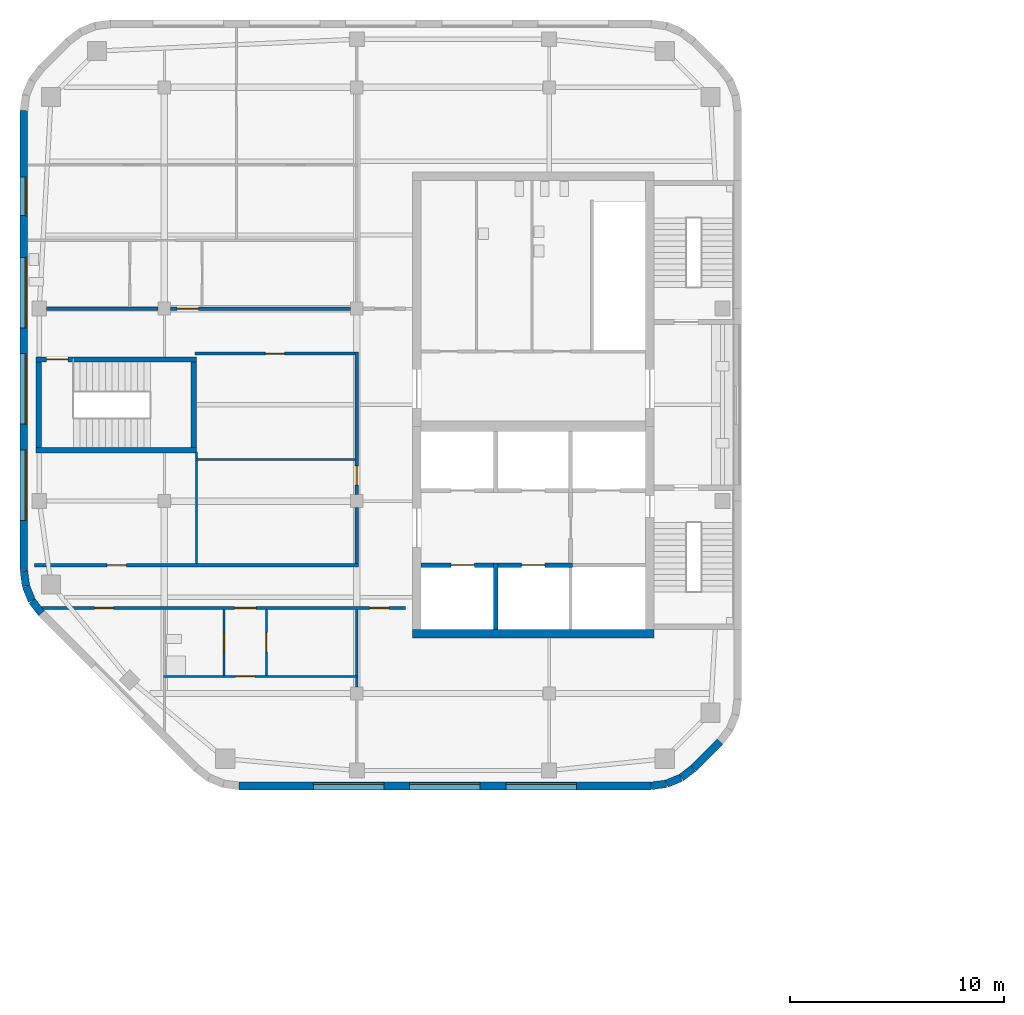
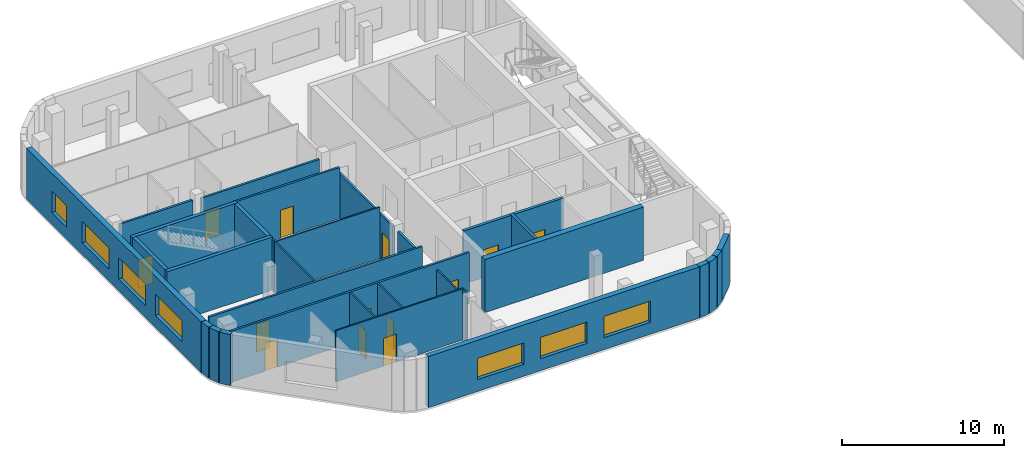
# One storey, part 5 of 14: 32 walls, 13 doors, 7 windows, 20 openings.
"""IFC4 building model written with IfcOpenShell, lengths in metres."""

from ifc_helpers import new_model, si_unit, direction, frame, frame_2d, origin, place, context, subcontext, project, spatial, rectangle, extrude, material, layer, layer_set, type_object, element, fill, save


model = new_model("IFC4")

# Units and contexts
model_context = context("Model", 3, precision=1e-05, world=origin(), true_north=direction((0.0, 1.0)))
body_context = subcontext(model_context, "Body", "Model", "MODEL_VIEW")
ifc_project = project(units=[si_unit("LENGTHUNIT", "METRE"), si_unit("AREAUNIT", "SQUARE_METRE"), si_unit("VOLUMEUNIT", "CUBIC_METRE"), si_unit("PLANEANGLEUNIT", "RADIAN"), si_unit("MASSUNIT", "GRAM", prefix="KILO")], contexts=[model_context])

# Site, building, storey
site_placement = place(None, origin())
site = spatial("IfcSite", under=ifc_project, at=site_placement, CompositionType="ELEMENT")
building_placement = place(site_placement, origin())
building = spatial("IfcBuilding", under=site, at=building_placement, Name="Cinnabar Reach Civic Tower", CompositionType="ELEMENT")
storey_placement = place(building_placement, frame((0.0, 0.0, 136.0)))
storey = spatial("IfcBuildingStorey", under=building, at=storey_placement, Name="L32", CompositionType="ELEMENT", Elevation=136.0)

# Walls
ifc_material_1 = material(Name="Facing brick with insulated backing", Category="masonry")
ifc_layer_1 = layer(ifc_material_1, 0.36)
ifc_layer_set_1 = layer_set([ifc_layer_1], Name="Brick corner wall")
wall_type_1 = type_object("IfcWallType", Name="Brick corner wall", PredefinedType="STANDARD", material=ifc_layer_set_1)
for number, where, z_axis, x_axis, name in (
    (1, (-31.2314, 13.683, 0.0), (0.0, 0.0, 1.0), (0.99144092581, 0.13055608231, 0.0), "Brick corner wall"),
    (2, (-30.5027, 13.7819, 0.0), (0.0, 0.0, 1.0), (0.923871547278, 0.382702709855, 0.0), "Brick corner wall"),
):
    element("IfcWall", number, at=place(storey_placement, frame(where, z_axis=z_axis, x_axis=x_axis)), inside=storey, type_object=wall_type_1, Name=name, PredefinedType="STANDARD", context=body_context, shape_type="SweptSolid", body=[
        extrude(rectangle(XDim=0.7131, YDim=0.36, at=frame_2d((0.3565, 0.0))), origin(), (0.0, 0.0, 1.0), 3.85),
    ])
wall_1_placement = place(storey_placement, frame((-29.8245, 14.066, 0.0), z_axis=(0.0, 0.0, 1.0), x_axis=(0.793321924995, 0.608802368033, 0.0)))
element("IfcWall", 3, at=wall_1_placement, inside=storey, type_object=wall_type_1, Name="Brick corner wall", PredefinedType="STANDARD", context=body_context, shape_type="SweptSolid", body=[
    extrude(rectangle(XDim=0.7132, YDim=0.36, at=frame_2d((0.3566, 0.0))), origin(), (0.0, 0.0, 1.0), 3.85),
])
for number, where, z_axis, x_axis, name in (
    (4, (-60.567, 23.7314, 0.0), (0.0, 0.0, 1.0), (0.13055608231, -0.99144092581, 0.0), "Brick corner wall"),
    (5, (-60.4681, 23.0027, 0.0), (0.0, 0.0, 1.0), (0.382702709855, -0.923871547278, 0.0), "Brick corner wall"),
):
    element("IfcWall", number, at=place(storey_placement, frame(where, z_axis=z_axis, x_axis=x_axis)), inside=storey, type_object=wall_type_1, Name=name, PredefinedType="STANDARD", context=body_context, shape_type="SweptSolid", body=[
        extrude(rectangle(XDim=0.7131, YDim=0.36, at=frame_2d((0.3565, 0.0))), origin(), (0.0, 0.0, 1.0), 3.85),
    ])
wall_2_placement = place(storey_placement, frame((-60.184, 22.3245, 0.0), z_axis=(0.0, 0.0, 1.0), x_axis=(0.608802368033, -0.793321924995, 0.0)))
element("IfcWall", 6, at=wall_2_placement, inside=storey, type_object=wall_type_1, Name="Brick corner wall", PredefinedType="STANDARD", context=body_context, shape_type="SweptSolid", body=[
    extrude(rectangle(XDim=0.7132, YDim=0.36, at=frame_2d((0.3566, 0.0))), origin(), (0.0, 0.0, 1.0), 3.85),
])

# Wall, openings, windows
ifc_layer_2 = layer(ifc_material_1, 0.36)
ifc_layer_set_2 = layer_set([ifc_layer_2], Name="Brick pier and spandrel wall")
wall_type_2 = type_object("IfcWallType", Name="Brick pier and spandrel wall", PredefinedType="STANDARD", material=ifc_layer_set_2)
wall_3_placement = place(storey_placement, frame((-50.5074, 13.68, 0.0), z_axis=(0.0, 0.0, 1.0), x_axis=(1.0, 0.0, 0.0)))
wall_3 = element("IfcWall", 7, at=wall_3_placement, inside=storey, type_object=wall_type_2, Name="Brick facade wall", PredefinedType="STANDARD", context=body_context, shape_type="SweptSolid", body=[
    extrude(rectangle(XDim=19.2648, YDim=0.36, at=frame_2d((9.6324, 0.0))), origin(), (0.0, 0.0, 1.0), 3.85),
])
opening_1_placement = place(wall_3_placement, frame((3.4824, 0.0, 0.9)))
opening_1 = element("IfcOpeningElement", 8, at=opening_1_placement, cuts=wall_3, Name="Opening W2793", PredefinedType="OPENING", context=body_context, shape_type="SweptSolid", body=[
    extrude(rectangle(XDim=3.3, YDim=1.6, at=frame_2d((1.65, 0.8))), frame((0.0, 0.19, 0.0), z_axis=(0.0, -1.0, 0.0), x_axis=(1.0, 0.0, 0.0)), (0.0, 0.0, 1.0), 0.38),
])
opening_2_placement = place(wall_3_placement, frame((7.9824, 0.0, 0.9)))
opening_2 = element("IfcOpeningElement", 9, at=opening_2_placement, cuts=wall_3, Name="Opening W2794", PredefinedType="OPENING", context=body_context, shape_type="SweptSolid", body=[
    extrude(rectangle(XDim=3.3, YDim=1.6, at=frame_2d((1.65, 0.8))), frame((0.0, 0.19, 0.0), z_axis=(0.0, -1.0, 0.0), x_axis=(1.0, 0.0, 0.0)), (0.0, 0.0, 1.0), 0.38),
])
opening_3_placement = place(wall_3_placement, frame((12.4824, 0.0, 0.9)))
opening_3 = element("IfcOpeningElement", 10, at=opening_3_placement, cuts=wall_3, Name="Opening W2795", PredefinedType="OPENING", context=body_context, shape_type="SweptSolid", body=[
    extrude(rectangle(XDim=3.3, YDim=1.6, at=frame_2d((1.65, 0.8))), frame((0.0, 0.19, 0.0), z_axis=(0.0, -1.0, 0.0), x_axis=(1.0, 0.0, 0.0)), (0.0, 0.0, 1.0), 0.38),
])
ifc_material_2 = material(Name="Clear double glazing in aluminium frame", Category="aluminium")
window_type_1 = type_object("IfcWindowType", Name="Deep-set window A", PartitioningType="SINGLE_PANEL", PredefinedType="WINDOW", material=ifc_material_2)
window_1_placement = place(opening_1_placement, origin())
window_1 = element("IfcWindow", 11, at=window_1_placement, inside=storey, type_object=window_type_1, Name="Window south face", OverallHeight=1.6, OverallWidth=3.3, PartitioningType="SINGLE_PANEL", PredefinedType="WINDOW", context=body_context, shape_type="SweptSolid", body=[
    extrude(rectangle(XDim=3.3, YDim=1.6, at=frame_2d((1.65, 0.8))), frame((0.0, 0.13, 0.0), z_axis=(0.0, -1.0, 0.0), x_axis=(1.0, 0.0, 0.0)), (0.0, 0.0, 1.0), 0.06),
])
fill(opening_1, window_1)
window_2_placement = place(opening_2_placement, origin())
window_2 = element("IfcWindow", 12, at=window_2_placement, inside=storey, type_object=window_type_1, Name="Window south face", OverallHeight=1.6, OverallWidth=3.3, PartitioningType="SINGLE_PANEL", PredefinedType="WINDOW", context=body_context, shape_type="SweptSolid", body=[
    extrude(rectangle(XDim=3.3, YDim=1.6, at=frame_2d((1.65, 0.8))), frame((0.0, 0.13, 0.0), z_axis=(0.0, -1.0, 0.0), x_axis=(1.0, 0.0, 0.0)), (0.0, 0.0, 1.0), 0.06),
])
fill(opening_2, window_2)
window_3_placement = place(opening_3_placement, origin())
window_3 = element("IfcWindow", 13, at=window_3_placement, inside=storey, type_object=window_type_1, Name="Window south face", OverallHeight=1.6, OverallWidth=3.3, PartitioningType="SINGLE_PANEL", PredefinedType="WINDOW", context=body_context, shape_type="SweptSolid", body=[
    extrude(rectangle(XDim=3.3, YDim=1.6, at=frame_2d((1.65, 0.8))), frame((0.0, 0.13, 0.0), z_axis=(0.0, -1.0, 0.0), x_axis=(1.0, 0.0, 0.0)), (0.0, 0.0, 1.0), 0.06),
])
fill(opening_3, window_3)

# Wall
wall_4_placement = place(storey_placement, frame((-29.2486, 14.506, 0.0), z_axis=(0.0, 0.0, 1.0), x_axis=(0.707106781187, 0.707106781187, 0.0)))
element("IfcWall", 14, at=wall_4_placement, inside=storey, type_object=wall_type_2, Name="Brick facade wall", PredefinedType="STANDARD", context=body_context, shape_type="SweptSolid", body=[
    extrude(rectangle(XDim=1.7573, YDim=0.36, at=frame_2d((0.8787, 0.0))), origin(), (0.0, 0.0, 1.0), 3.85),
])

# Wall, openings, windows
wall_5_placement = place(storey_placement, frame((-60.57, 45.2574, 0.0), z_axis=(0.0, 0.0, 1.0), x_axis=(0.0, -1.0, 0.0)))
wall_5 = element("IfcWall", 15, at=wall_5_placement, inside=storey, type_object=wall_type_2, Name="Brick facade wall", PredefinedType="STANDARD", context=body_context, shape_type="SweptSolid", body=[
    extrude(rectangle(XDim=21.5148, YDim=0.36, at=frame_2d((10.7574, 0.0))), origin(), (0.0, 0.0, 1.0), 3.85),
])
opening_4_placement = place(wall_5_placement, frame((3.1074, 0.0, 0.9)))
opening_4 = element("IfcOpeningElement", 16, at=opening_4_placement, cuts=wall_5, Name="Opening W2802", PredefinedType="OPENING", context=body_context, shape_type="SweptSolid", body=[
    extrude(rectangle(XDim=1.8, YDim=1.6, at=frame_2d((0.9, 0.8))), frame((0.0, 0.19, 0.0), z_axis=(0.0, -1.0, 0.0), x_axis=(1.0, 0.0, 0.0)), (0.0, 0.0, 1.0), 0.38),
])
opening_5_placement = place(wall_5_placement, frame((6.8574, 0.0, 0.9)))
opening_5 = element("IfcOpeningElement", 17, at=opening_5_placement, cuts=wall_5, Name="Opening W2803", PredefinedType="OPENING", context=body_context, shape_type="SweptSolid", body=[
    extrude(rectangle(XDim=3.3, YDim=1.6, at=frame_2d((1.65, 0.8))), frame((0.0, 0.19, 0.0), z_axis=(0.0, -1.0, 0.0), x_axis=(1.0, 0.0, 0.0)), (0.0, 0.0, 1.0), 0.38),
])
opening_6_placement = place(wall_5_placement, frame((11.3574, 0.0, 0.9)))
opening_6 = element("IfcOpeningElement", 18, at=opening_6_placement, cuts=wall_5, Name="Opening W2804", PredefinedType="OPENING", context=body_context, shape_type="SweptSolid", body=[
    extrude(rectangle(XDim=3.3, YDim=1.6, at=frame_2d((1.65, 0.8))), frame((0.0, 0.19, 0.0), z_axis=(0.0, -1.0, 0.0), x_axis=(1.0, 0.0, 0.0)), (0.0, 0.0, 1.0), 0.38),
])
opening_7_placement = place(wall_5_placement, frame((15.8574, 0.0, 0.9)))
opening_7 = element("IfcOpeningElement", 19, at=opening_7_placement, cuts=wall_5, Name="Opening W2805", PredefinedType="OPENING", context=body_context, shape_type="SweptSolid", body=[
    extrude(rectangle(XDim=3.3, YDim=1.6, at=frame_2d((1.65, 0.8))), frame((0.0, 0.19, 0.0), z_axis=(0.0, -1.0, 0.0), x_axis=(1.0, 0.0, 0.0)), (0.0, 0.0, 1.0), 0.38),
])
window_4_placement = place(opening_5_placement, origin())
window_4 = element("IfcWindow", 20, at=window_4_placement, inside=storey, type_object=window_type_1, Name="Window west face", OverallHeight=1.6, OverallWidth=3.3, PartitioningType="SINGLE_PANEL", PredefinedType="WINDOW", context=body_context, shape_type="SweptSolid", body=[
    extrude(rectangle(XDim=3.3, YDim=1.6, at=frame_2d((1.65, 0.8))), frame((0.0, 0.13, 0.0), z_axis=(0.0, -1.0, 0.0), x_axis=(1.0, 0.0, 0.0)), (0.0, 0.0, 1.0), 0.06),
])
fill(opening_5, window_4)
window_5_placement = place(opening_6_placement, origin())
window_5 = element("IfcWindow", 21, at=window_5_placement, inside=storey, type_object=window_type_1, Name="Window west face", OverallHeight=1.6, OverallWidth=3.3, PartitioningType="SINGLE_PANEL", PredefinedType="WINDOW", context=body_context, shape_type="SweptSolid", body=[
    extrude(rectangle(XDim=3.3, YDim=1.6, at=frame_2d((1.65, 0.8))), frame((0.0, 0.13, 0.0), z_axis=(0.0, -1.0, 0.0), x_axis=(1.0, 0.0, 0.0)), (0.0, 0.0, 1.0), 0.06),
])
fill(opening_6, window_5)
window_6_placement = place(opening_7_placement, origin())
window_6 = element("IfcWindow", 22, at=window_6_placement, inside=storey, type_object=window_type_1, Name="Window west face", OverallHeight=1.6, OverallWidth=3.3, PartitioningType="SINGLE_PANEL", PredefinedType="WINDOW", context=body_context, shape_type="SweptSolid", body=[
    extrude(rectangle(XDim=3.3, YDim=1.6, at=frame_2d((1.65, 0.8))), frame((0.0, 0.13, 0.0), z_axis=(0.0, -1.0, 0.0), x_axis=(1.0, 0.0, 0.0)), (0.0, 0.0, 1.0), 0.06),
])
fill(opening_7, window_6)
window_type_2 = type_object("IfcWindowType", Name="Deep-set window D", PartitioningType="SINGLE_PANEL", PredefinedType="WINDOW", material=ifc_material_2)
window_7_placement = place(opening_4_placement, origin())
window_7 = element("IfcWindow", 23, at=window_7_placement, inside=storey, type_object=window_type_2, Name="Window west face", OverallHeight=1.6, OverallWidth=1.8, PartitioningType="SINGLE_PANEL", PredefinedType="WINDOW", context=body_context, shape_type="SweptSolid", body=[
    extrude(rectangle(XDim=1.8, YDim=1.6, at=frame_2d((0.9, 0.8))), frame((0.0, 0.13, 0.0), z_axis=(0.0, -1.0, 0.0), x_axis=(1.0, 0.0, 0.0)), (0.0, 0.0, 1.0), 0.06),
])
fill(opening_4, window_7)

# Wall
ifc_material_3 = material(Name="Concrete C60", Category="concrete")
ifc_layer_3 = layer(ifc_material_3, 0.4)
ifc_layer_set_3 = layer_set([ifc_layer_3], Name="Core wall 400 EI 180")
wall_type_3 = type_object("IfcWallType", Name="Core wall 400 EI 180", PredefinedType="SOLIDWALL", material=ifc_layer_set_3)
wall_6_placement = place(storey_placement, frame((-42.4, 20.8, 0.0), z_axis=(0.0, 0.0, 1.0), x_axis=(1.0, 0.0, 0.0)))
element("IfcWall", 24, at=wall_6_placement, inside=storey, type_object=wall_type_3, Name="Core wall T2 L32 S", PredefinedType="SOLIDWALL", context=body_context, shape_type="SweptSolid", body=[
    extrude(rectangle(XDim=11.3, YDim=0.4, at=frame_2d((5.65, 0.0))), origin(), (0.0, 0.0, 1.0), 4.0),
])

# Wall, opening, door
ifc_material_4 = material(Name="Gypsum board on steel studs, double layer", Category="steel")
ifc_layer_4 = layer(ifc_material_4, 0.15)
ifc_layer_set_4 = layer_set([ifc_layer_4], Name="Corridor wall 150 T2")
wall_type_4 = type_object("IfcWallType", Name="Corridor wall 150 T2", PredefinedType="PARTITIONING", material=ifc_layer_set_4)
wall_7_placement = place(storey_placement, frame((-53.7, 36.0, 0.0), z_axis=(0.0, 0.0, 1.0), x_axis=(1.0, 0.0, 0.0)))
wall_7 = element("IfcWall", 25, at=wall_7_placement, inside=storey, type_object=wall_type_4, Name="Corridor wall 2", PredefinedType="PARTITIONING", context=body_context, shape_type="SweptSolid", body=[
    extrude(rectangle(XDim=8.4, YDim=0.15, at=frame_2d((4.2, 0.0))), origin(), (0.0, 0.0, 1.0), 3.262),
])
opening_8_placement = place(wall_7_placement, frame((0.3, 0.0, 0.0)))
opening_8 = element("IfcOpeningElement", 26, at=opening_8_placement, cuts=wall_7, Name="Opening D7160", PredefinedType="OPENING", context=body_context, shape_type="SweptSolid", body=[
    extrude(rectangle(XDim=1.0, YDim=2.1, at=frame_2d((0.5, 1.05))), frame((0.0, 0.085, 0.0), z_axis=(0.0, -1.0, 0.0), x_axis=(1.0, 0.0, 0.0)), (0.0, 0.0, 1.0), 0.17),
])
ifc_material_5 = material(Name="Timber door leaf in steel frame", Category="steel")
door_type_1 = type_object("IfcDoorType", Name="Tenancy entrance door 1000 x 2100 T2", OperationType="SINGLE_SWING_LEFT", PredefinedType="DOOR", material=ifc_material_5)
door_1_placement = place(opening_8_placement, origin())
door_1 = element("IfcDoor", 27, at=door_1_placement, inside=storey, type_object=door_type_1, Name="Door D7160", OperationType="SINGLE_SWING_RIGHT", OverallHeight=2.1, OverallWidth=1.0, PredefinedType="DOOR", context=body_context, shape_type="SweptSolid", body=[
    extrude(rectangle(XDim=1.0, YDim=2.1, at=frame_2d((0.5, 1.05))), frame((0.0, 0.025, 0.0), z_axis=(0.0, -1.0, 0.0), x_axis=(1.0, 0.0, 0.0)), (0.0, 0.0, 1.0), 0.05),
])
fill(opening_8, door_1)

# Wall
wall_8_placement = place(storey_placement, frame((-59.5, 36.0, 0.0), z_axis=(0.0, 0.0, 1.0), x_axis=(1.0, 0.0, 0.0)))
element("IfcWall", 28, at=wall_8_placement, inside=storey, type_object=wall_type_4, Name="Corridor wall 3", PredefinedType="PARTITIONING", context=body_context, shape_type="SweptSolid", body=[
    extrude(rectangle(XDim=5.2, YDim=0.15, at=frame_2d((2.6, 0.0))), origin(), (0.0, 0.0, 1.0), 3.35),
])

# Wall, openings, doors
wall_9_placement = place(storey_placement, frame((-59.7657, 22.0, 0.0), z_axis=(0.0, 0.0, 1.0), x_axis=(1.0, 0.0, 0.0)))
wall_9 = element("IfcWall", 29, at=wall_9_placement, inside=storey, type_object=wall_type_4, Name="Corridor wall 4", PredefinedType="PARTITIONING", context=body_context, shape_type="SweptSolid", body=[
    extrude(rectangle(XDim=17.0407, YDim=0.15, at=frame_2d((8.5204, 0.0))), origin(), (0.0, 0.0, 1.0), 3.85),
])
opening_9_placement = place(wall_9_placement, frame((15.3657, 0.0, 0.0)))
opening_9 = element("IfcOpeningElement", 30, at=opening_9_placement, cuts=wall_9, Name="Opening D7148", PredefinedType="OPENING", context=body_context, shape_type="SweptSolid", body=[
    extrude(rectangle(XDim=0.9, YDim=2.1, at=frame_2d((0.45, 1.05))), frame((0.0, 0.085, 0.0), z_axis=(0.0, -1.0, 0.0), x_axis=(1.0, 0.0, 0.0)), (0.0, 0.0, 1.0), 0.17),
])
opening_10_placement = place(wall_9_placement, frame((2.5, 0.0, 0.0)))
opening_10 = element("IfcOpeningElement", 31, at=opening_10_placement, cuts=wall_9, Name="Opening D7149", PredefinedType="OPENING", context=body_context, shape_type="SweptSolid", body=[
    extrude(rectangle(XDim=0.9, YDim=2.1, at=frame_2d((0.45, 1.05))), frame((0.0, 0.085, 0.0), z_axis=(0.0, -1.0, 0.0), x_axis=(1.0, 0.0, 0.0)), (0.0, 0.0, 1.0), 0.17),
])
opening_11_placement = place(wall_9_placement, frame((9.0557, 0.0, 0.0)))
opening_11 = element("IfcOpeningElement", 32, at=opening_11_placement, cuts=wall_9, Name="Opening D7153", PredefinedType="OPENING", context=body_context, shape_type="SweptSolid", body=[
    extrude(rectangle(XDim=1.0, YDim=2.1, at=frame_2d((0.5, 1.05))), frame((0.0, 0.085, 0.0), z_axis=(0.0, -1.0, 0.0), x_axis=(1.0, 0.0, 0.0)), (0.0, 0.0, 1.0), 0.17),
])
door_type_2 = type_object("IfcDoorType", Name="Single swing door 900 x 2100 T2", OperationType="SINGLE_SWING_LEFT", PredefinedType="DOOR", material=ifc_material_5)
door_2_placement = place(opening_9_placement, frame((0.9, 0.0, 0.0), z_axis=(0.0, 0.0, 1.0), x_axis=(-1.0, 0.0, 0.0)))
door_2 = element("IfcDoor", 33, at=door_2_placement, inside=storey, type_object=door_type_2, Name="Door D7148", OperationType="SINGLE_SWING_RIGHT", OverallHeight=2.1, OverallWidth=0.9, PredefinedType="DOOR", context=body_context, shape_type="SweptSolid", body=[
    extrude(rectangle(XDim=0.9, YDim=2.1, at=frame_2d((0.45, 1.05))), frame((0.0, 0.025, 0.0), z_axis=(0.0, -1.0, 0.0), x_axis=(1.0, 0.0, 0.0)), (0.0, 0.0, 1.0), 0.05),
])
fill(opening_9, door_2)
door_3_placement = place(opening_10_placement, frame((0.9, 0.0, 0.0), z_axis=(0.0, 0.0, 1.0), x_axis=(-1.0, 0.0, 0.0)))
door_3 = element("IfcDoor", 34, at=door_3_placement, inside=storey, type_object=door_type_2, Name="Door D7149", OperationType="SINGLE_SWING_RIGHT", OverallHeight=2.1, OverallWidth=0.9, PredefinedType="DOOR", context=body_context, shape_type="SweptSolid", body=[
    extrude(rectangle(XDim=0.9, YDim=2.1, at=frame_2d((0.45, 1.05))), frame((0.0, 0.025, 0.0), z_axis=(0.0, -1.0, 0.0), x_axis=(1.0, 0.0, 0.0)), (0.0, 0.0, 1.0), 0.05),
])
fill(opening_10, door_3)
door_4_placement = place(opening_11_placement, frame((1.0, 0.0, 0.0), z_axis=(0.0, 0.0, 1.0), x_axis=(-1.0, 0.0, 0.0)))
door_4 = element("IfcDoor", 35, at=door_4_placement, inside=storey, type_object=door_type_1, Name="Door D7153", OperationType="SINGLE_SWING_LEFT", OverallHeight=2.1, OverallWidth=1.0, PredefinedType="DOOR", context=body_context, shape_type="SweptSolid", body=[
    extrude(rectangle(XDim=1.0, YDim=2.1, at=frame_2d((0.5, 1.05))), frame((0.0, 0.025, 0.0), z_axis=(0.0, -1.0, 0.0), x_axis=(1.0, 0.0, 0.0)), (0.0, 0.0, 1.0), 0.05),
])
fill(opening_11, door_4)

# Wall, opening, door
wall_10_placement = place(storey_placement, frame((-60.075, 24.0, 0.0), z_axis=(0.0, 0.0, 1.0), x_axis=(1.0, 0.0, 0.0)))
wall_10 = element("IfcWall", 36, at=wall_10_placement, inside=storey, type_object=wall_type_4, Name="Corridor wall 5", PredefinedType="PARTITIONING", context=body_context, shape_type="SweptSolid", body=[
    extrude(rectangle(XDim=15.15, YDim=0.15, at=frame_2d((7.575, 0.0))), origin(), (0.0, 0.0, 1.0), 3.85),
])
opening_12_placement = place(wall_10_placement, frame((3.4, 0.0, 0.0)))
opening_12 = element("IfcOpeningElement", 37, at=opening_12_placement, cuts=wall_10, Name="Opening D7161", PredefinedType="OPENING", context=body_context, shape_type="SweptSolid", body=[
    extrude(rectangle(XDim=0.9, YDim=2.1, at=frame_2d((0.45, 1.05))), frame((0.0, 0.085, 0.0), z_axis=(0.0, -1.0, 0.0), x_axis=(1.0, 0.0, 0.0)), (0.0, 0.0, 1.0), 0.17),
])
door_5_placement = place(opening_12_placement, origin())
door_5 = element("IfcDoor", 38, at=door_5_placement, inside=storey, type_object=door_type_2, Name="Door D7161", OperationType="SINGLE_SWING_RIGHT", OverallHeight=2.1, OverallWidth=0.9, PredefinedType="DOOR", context=body_context, shape_type="SweptSolid", body=[
    extrude(rectangle(XDim=0.9, YDim=2.1, at=frame_2d((0.45, 1.05))), frame((0.0, 0.025, 0.0), z_axis=(0.0, -1.0, 0.0), x_axis=(1.0, 0.0, 0.0)), (0.0, 0.0, 1.0), 0.05),
])
fill(opening_12, door_5)

# Wall
wall_11_placement = place(storey_placement, frame((-45.0, 24.075, 0.0), z_axis=(0.0, 0.0, 1.0), x_axis=(0.0, 1.0, 0.0)))
element("IfcWall", 39, at=wall_11_placement, inside=storey, type_object=wall_type_4, Name="Corridor wall 6", PredefinedType="PARTITIONING", context=body_context, shape_type="SweptSolid", body=[
    extrude(rectangle(XDim=2.625, YDim=0.15, at=frame_2d((1.3125, 0.0))), origin(), (0.0, 0.0, 1.0), 3.362),
])

# Wall, opening, door
wall_12_placement = place(storey_placement, frame((-45.0, 27.3, 0.0), z_axis=(0.0, 0.0, 1.0), x_axis=(0.0, 1.0, 0.0)))
wall_12 = element("IfcWall", 40, at=wall_12_placement, inside=storey, type_object=wall_type_4, Name="Corridor wall 7", PredefinedType="PARTITIONING", context=body_context, shape_type="SweptSolid", body=[
    extrude(rectangle(XDim=6.675, YDim=0.15, at=frame_2d((3.3375, 0.0))), origin(), (0.0, 0.0, 1.0), 3.362),
])
opening_13_placement = place(wall_12_placement, frame((0.45, 0.0, 0.0)))
opening_13 = element("IfcOpeningElement", 41, at=opening_13_placement, cuts=wall_12, Name="Opening D7162", PredefinedType="OPENING", context=body_context, shape_type="SweptSolid", body=[
    extrude(rectangle(XDim=0.9, YDim=2.1, at=frame_2d((0.45, 1.05))), frame((0.0, 0.085, 0.0), z_axis=(0.0, -1.0, 0.0), x_axis=(1.0, 0.0, 0.0)), (0.0, 0.0, 1.0), 0.17),
])
door_6_placement = place(opening_13_placement, origin())
door_6 = element("IfcDoor", 42, at=door_6_placement, inside=storey, type_object=door_type_2, Name="Door D7162", OperationType="SINGLE_SWING_RIGHT", OverallHeight=2.1, OverallWidth=0.9, PredefinedType="DOOR", context=body_context, shape_type="SweptSolid", body=[
    extrude(rectangle(XDim=0.9, YDim=2.1, at=frame_2d((0.45, 1.05))), frame((0.0, 0.025, 0.0), z_axis=(0.0, -1.0, 0.0), x_axis=(1.0, 0.0, 0.0)), (0.0, 0.0, 1.0), 0.05),
])
fill(opening_13, door_6)

wall_13_placement = place(storey_placement, frame((-52.575, 33.9, 0.0), z_axis=(0.0, 0.0, 1.0), x_axis=(1.0, 0.0, 0.0)))
wall_13 = element("IfcWall", 43, at=wall_13_placement, inside=storey, type_object=wall_type_4, Name="Corridor wall 8", PredefinedType="PARTITIONING", context=body_context, shape_type="SweptSolid", body=[
    extrude(rectangle(XDim=7.5, YDim=0.15, at=frame_2d((3.75, 0.0))), origin(), (0.0, 0.0, 1.0), 3.85),
])
opening_14_placement = place(wall_13_placement, frame((3.3, 0.0, 0.0)))
opening_14 = element("IfcOpeningElement", 44, at=opening_14_placement, cuts=wall_13, Name="Opening D7163", PredefinedType="OPENING", context=body_context, shape_type="SweptSolid", body=[
    extrude(rectangle(XDim=0.9, YDim=2.1, at=frame_2d((0.45, 1.05))), frame((0.0, 0.085, 0.0), z_axis=(0.0, -1.0, 0.0), x_axis=(1.0, 0.0, 0.0)), (0.0, 0.0, 1.0), 0.17),
])
door_7_placement = place(opening_14_placement, frame((0.9, 0.0, 0.0), z_axis=(0.0, 0.0, 1.0), x_axis=(-1.0, 0.0, 0.0)))
door_7 = element("IfcDoor", 45, at=door_7_placement, inside=storey, type_object=door_type_2, Name="Door D7163", OperationType="SINGLE_SWING_RIGHT", OverallHeight=2.1, OverallWidth=0.9, PredefinedType="DOOR", context=body_context, shape_type="SweptSolid", body=[
    extrude(rectangle(XDim=0.9, YDim=2.1, at=frame_2d((0.45, 1.05))), frame((0.0, 0.025, 0.0), z_axis=(0.0, -1.0, 0.0), x_axis=(1.0, 0.0, 0.0)), (0.0, 0.0, 1.0), 0.05),
])
fill(opening_14, door_7)

ifc_material_6 = material(Name="Gypsum board on steel studs", Category="steel")
ifc_layer_5 = layer(ifc_material_6, 0.1)
ifc_layer_set_5 = layer_set([ifc_layer_5], Name="Partition wall 100 T2")
wall_type_5 = type_object("IfcWallType", Name="Partition wall 100 T2", PredefinedType="PARTITIONING", material=ifc_layer_set_5)
wall_14_placement = place(storey_placement, frame((-54.05, 18.8, 0.0), z_axis=(0.0, 0.0, 1.0), x_axis=(1.0, 0.0, 0.0)))
wall_14 = element("IfcWall", 46, at=wall_14_placement, inside=storey, type_object=wall_type_5, Name="Partition wall 17", PredefinedType="PARTITIONING", context=body_context, shape_type="SweptSolid", body=[
    extrude(rectangle(XDim=9.1, YDim=0.1, at=frame_2d((4.55, 0.0))), origin(), (0.0, 0.0, 1.0), 3.85),
])
opening_15_placement = place(wall_14_placement, frame((3.39, 0.0, 0.0)))
opening_15 = element("IfcOpeningElement", 47, at=opening_15_placement, cuts=wall_14, Name="Opening D7152", PredefinedType="OPENING", context=body_context, shape_type="SweptSolid", body=[
    extrude(rectangle(XDim=0.9, YDim=2.1, at=frame_2d((0.45, 1.05))), frame((0.0, 0.06, 0.0), z_axis=(0.0, -1.0, 0.0), x_axis=(1.0, 0.0, 0.0)), (0.0, 0.0, 1.0), 0.12),
])
door_8_placement = place(opening_15_placement, origin())
door_8 = element("IfcDoor", 48, at=door_8_placement, inside=storey, type_object=door_type_2, Name="Door D7152", OperationType="SINGLE_SWING_RIGHT", OverallHeight=2.1, OverallWidth=0.9, PredefinedType="DOOR", context=body_context, shape_type="SweptSolid", body=[
    extrude(rectangle(XDim=0.9, YDim=2.1, at=frame_2d((0.45, 1.05))), frame((0.0, 0.025, 0.0), z_axis=(0.0, -1.0, 0.0), x_axis=(1.0, 0.0, 0.0)), (0.0, 0.0, 1.0), 0.05),
])
fill(opening_15, door_8)

# Walls
wall_15_placement = place(storey_placement, frame((-45.0, 18.85, 0.0), z_axis=(0.0, 0.0, 1.0), x_axis=(0.0, 1.0, 0.0)))
element("IfcWall", 49, at=wall_15_placement, inside=storey, type_object=wall_type_5, Name="Partition wall 18", PredefinedType="PARTITIONING", context=body_context, shape_type="SweptSolid", body=[
    extrude(rectangle(XDim=3.075, YDim=0.1, at=frame_2d((1.5375, 0.0))), origin(), (0.0, 0.0, 1.0), 3.362),
])
wall_16_placement = place(storey_placement, frame((-45.0, 18.3, 0.0), z_axis=(0.0, 0.0, 1.0), x_axis=(0.0, 1.0, 0.0)))
element("IfcWall", 50, at=wall_16_placement, inside=storey, type_object=wall_type_5, Name="Partition wall 19", PredefinedType="PARTITIONING", context=body_context, shape_type="SweptSolid", body=[
    extrude(rectangle(XDim=0.45, YDim=0.1, at=frame_2d((0.225, 0.0))), origin(), (0.0, 0.0, 1.0), 3.85),
])
wall_17_placement = place(storey_placement, frame((-52.55, 28.95, 0.0), z_axis=(0.0, 0.0, 1.0), x_axis=(1.0, 0.0, 0.0)))
element("IfcWall", 51, at=wall_17_placement, inside=storey, type_object=wall_type_5, Name="Partition wall 21", PredefinedType="PARTITIONING", context=body_context, shape_type="SweptSolid", body=[
    extrude(rectangle(XDim=7.475, YDim=0.1, at=frame_2d((3.7375, 0.0))), origin(), (0.0, 0.0, 1.0), 3.85),
])
wall_18_placement = place(storey_placement, frame((-52.5, 29.0, 0.0), z_axis=(0.0, 0.0, 1.0), x_axis=(0.0, 1.0, 0.0)))
element("IfcWall", 52, at=wall_18_placement, inside=storey, type_object=wall_type_5, Name="Partition wall 24", PredefinedType="PARTITIONING", context=body_context, shape_type="SweptSolid", body=[
    extrude(rectangle(XDim=0.3, YDim=0.1, at=frame_2d((0.15, 0.0))), origin(), (0.0, 0.0, 1.0), 3.85),
])
wall_19_placement = place(storey_placement, frame((-52.5, 24.075, 0.0), z_axis=(0.0, 0.0, 1.0), x_axis=(0.0, 1.0, 0.0)))
element("IfcWall", 53, at=wall_19_placement, inside=storey, type_object=wall_type_5, Name="Partition wall 25", PredefinedType="PARTITIONING", context=body_context, shape_type="SweptSolid", body=[
    extrude(rectangle(XDim=4.825, YDim=0.1, at=frame_2d((2.4125, 0.0))), origin(), (0.0, 0.0, 1.0), 3.85),
])

# Wall, opening, door
wall_20_placement = place(storey_placement, frame((-51.21, 18.85, 0.0), z_axis=(0.0, 0.0, 1.0), x_axis=(0.0, 1.0, 0.0)))
wall_20 = element("IfcWall", 54, at=wall_20_placement, inside=storey, type_object=wall_type_5, Name="Partition wall 28", PredefinedType="PARTITIONING", context=body_context, shape_type="SweptSolid", body=[
    extrude(rectangle(XDim=3.075, YDim=0.1, at=frame_2d((1.5375, 0.0))), origin(), (0.0, 0.0, 1.0), 3.85),
])
opening_16_placement = place(wall_20_placement, frame((1.1, 0.0, 0.0)))
opening_16 = element("IfcOpeningElement", 55, at=opening_16_placement, cuts=wall_20, Name="Opening D7150", PredefinedType="OPENING", context=body_context, shape_type="SweptSolid", body=[
    extrude(rectangle(XDim=0.9, YDim=2.1, at=frame_2d((0.45, 1.05))), frame((0.0, 0.06, 0.0), z_axis=(0.0, -1.0, 0.0), x_axis=(1.0, 0.0, 0.0)), (0.0, 0.0, 1.0), 0.12),
])
door_9_placement = place(opening_16_placement, origin())
door_9 = element("IfcDoor", 56, at=door_9_placement, inside=storey, type_object=door_type_2, Name="Door D7150", OperationType="SINGLE_SWING_LEFT", OverallHeight=2.1, OverallWidth=0.9, PredefinedType="DOOR", context=body_context, shape_type="SweptSolid", body=[
    extrude(rectangle(XDim=0.9, YDim=2.1, at=frame_2d((0.45, 1.05))), frame((0.0, 0.025, 0.0), z_axis=(0.0, -1.0, 0.0), x_axis=(1.0, 0.0, 0.0)), (0.0, 0.0, 1.0), 0.05),
])
fill(opening_16, door_9)

wall_21_placement = place(storey_placement, frame((-49.23, 18.85, 0.0), z_axis=(0.0, 0.0, 1.0), x_axis=(0.0, 1.0, 0.0)))
wall_21 = element("IfcWall", 57, at=wall_21_placement, inside=storey, type_object=wall_type_5, Name="Partition wall 29", PredefinedType="PARTITIONING", context=body_context, shape_type="SweptSolid", body=[
    extrude(rectangle(XDim=3.075, YDim=0.1, at=frame_2d((1.5375, 0.0))), origin(), (0.0, 0.0, 1.0), 3.85),
])
opening_17_placement = place(wall_21_placement, frame((1.1, 0.0, 0.0)))
opening_17 = element("IfcOpeningElement", 58, at=opening_17_placement, cuts=wall_21, Name="Opening D7151", PredefinedType="OPENING", context=body_context, shape_type="SweptSolid", body=[
    extrude(rectangle(XDim=0.9, YDim=2.1, at=frame_2d((0.45, 1.05))), frame((0.0, 0.06, 0.0), z_axis=(0.0, -1.0, 0.0), x_axis=(1.0, 0.0, 0.0)), (0.0, 0.0, 1.0), 0.12),
])
door_10_placement = place(opening_17_placement, origin())
door_10 = element("IfcDoor", 59, at=door_10_placement, inside=storey, type_object=door_type_2, Name="Door D7151", OperationType="SINGLE_SWING_LEFT", OverallHeight=2.1, OverallWidth=0.9, PredefinedType="DOOR", context=body_context, shape_type="SweptSolid", body=[
    extrude(rectangle(XDim=0.9, YDim=2.1, at=frame_2d((0.45, 1.05))), frame((0.0, 0.025, 0.0), z_axis=(0.0, -1.0, 0.0), x_axis=(1.0, 0.0, 0.0)), (0.0, 0.0, 1.0), 0.05),
])
fill(opening_17, door_10)

# Wall
ifc_layer_6 = layer(ifc_material_3, 0.25)
ifc_layer_set_6 = layer_set([ifc_layer_6], Name="Stair shaft wall 250 EI 120")
wall_type_6 = type_object("IfcWallType", Name="Stair shaft wall 250 EI 120", PredefinedType="SOLIDWALL", material=ifc_layer_set_6)
wall_22_placement = place(storey_placement, frame((-60.0, 29.375, 0.0), z_axis=(0.0, 0.0, 1.0), x_axis=(1.0, 0.0, 0.0)))
element("IfcWall", 60, at=wall_22_placement, inside=storey, type_object=wall_type_6, Name="Stair shaft wall T2-S3 L32", PredefinedType="SOLIDWALL", context=body_context, shape_type="SweptSolid", body=[
    extrude(rectangle(XDim=7.5, YDim=0.25, at=frame_2d((3.75, 0.0))), origin(), (0.0, 0.0, 1.0), 4.0),
])

# Wall, opening, door
wall_23_placement = place(storey_placement, frame((-52.5, 33.625, 0.0), z_axis=(0.0, 0.0, 1.0), x_axis=(-1.0, 0.0, 0.0)))
wall_23 = element("IfcWall", 61, at=wall_23_placement, inside=storey, type_object=wall_type_6, Name="Stair shaft wall T2-S3 L32", PredefinedType="SOLIDWALL", context=body_context, shape_type="SweptSolid", body=[
    extrude(rectangle(XDim=7.5, YDim=0.25, at=frame_2d((3.75, 0.0))), origin(), (0.0, 0.0, 1.0), 4.0),
])
opening_18_placement = place(wall_23_placement, frame((6.0, 0.0, 0.0)))
opening_18 = element("IfcOpeningElement", 62, at=opening_18_placement, cuts=wall_23, Name="Opening D7164", PredefinedType="OPENING", context=body_context, shape_type="SweptSolid", body=[
    extrude(rectangle(XDim=1.0, YDim=2.1, at=frame_2d((0.5, 1.05))), frame((0.0, 0.135, 0.0), z_axis=(0.0, -1.0, 0.0), x_axis=(1.0, 0.0, 0.0)), (0.0, 0.0, 1.0), 0.27),
])
door_type_3 = type_object("IfcDoorType", Name="Stair door 1000 x 2100 T2", OperationType="SINGLE_SWING_LEFT", PredefinedType="DOOR", material=ifc_material_5)
door_11_placement = place(opening_18_placement, origin())
door_11 = element("IfcDoor", 63, at=door_11_placement, inside=storey, type_object=door_type_3, Name="Door D7164", OperationType="SINGLE_SWING_RIGHT", OverallHeight=2.1, OverallWidth=1.0, PredefinedType="DOOR", context=body_context, shape_type="SweptSolid", body=[
    extrude(rectangle(XDim=1.0, YDim=2.1, at=frame_2d((0.5, 1.05))), frame((0.0, 0.025, 0.0), z_axis=(0.0, -1.0, 0.0), x_axis=(1.0, 0.0, 0.0)), (0.0, 0.0, 1.0), 0.05),
])
fill(opening_18, door_11)

# Walls
for number, where, z_axis, x_axis, name in (
    (64, (-52.625, 29.5, 0.0), (0.0, 0.0, 1.0), (0.0, 1.0, 0.0), "Stair shaft wall T2-S3 L32"),
    (65, (-59.875, 33.5, 0.0), (0.0, 0.0, 1.0), (0.0, -1.0, 0.0), "Stair shaft wall T2-S3 L32"),
):
    element("IfcWall", number, at=place(storey_placement, frame(where, z_axis=z_axis, x_axis=x_axis)), inside=storey, type_object=wall_type_6, Name=name, PredefinedType="SOLIDWALL", context=body_context, shape_type="SweptSolid", body=[
        extrude(rectangle(XDim=4.0, YDim=0.25, at=frame_2d((2.0, 0.0))), origin(), (0.0, 0.0, 1.0), 4.0),
    ])
ifc_material_7 = material(Name="Concrete C40", Category="concrete")
ifc_layer_7 = layer(ifc_material_7, 0.2)
ifc_layer_set_7 = layer_set([ifc_layer_7], Name="T2 Shaft wall 200")
wall_type_7 = type_object("IfcWallType", Name="T2 Shaft wall 200", PredefinedType="SOLIDWALL", material=ifc_layer_set_7)
wall_24_placement = place(storey_placement, frame((-38.5, 21.0, 0.0), z_axis=(0.0, 0.0, 1.0), x_axis=(0.0, 1.0, 0.0)))
element("IfcWall", 66, at=wall_24_placement, inside=storey, type_object=wall_type_7, Name="T2 Shaft wall L32 001", PredefinedType="SOLIDWALL", context=body_context, shape_type="SweptSolid", body=[
    extrude(rectangle(XDim=3.1, YDim=0.2, at=frame_2d((1.55, 0.0))), origin(), (0.0, 0.0, 1.0), 4.0),
])

# Wall, opening, door
wall_25_placement = place(storey_placement, frame((-38.6, 24.0, 0.0), z_axis=(0.0, 0.0, 1.0), x_axis=(-1.0, 0.0, 0.0)))
wall_25 = element("IfcWall", 67, at=wall_25_placement, inside=storey, type_object=wall_type_7, Name="T2 Shaft wall L32 002", PredefinedType="SOLIDWALL", context=body_context, shape_type="SweptSolid", body=[
    extrude(rectangle(XDim=3.4, YDim=0.2, at=frame_2d((1.7, 0.0))), origin(), (0.0, 0.0, 1.0), 4.0),
])
opening_19_placement = place(wall_25_placement, frame((0.9, 0.0, 0.0)))
opening_19 = element("IfcOpeningElement", 68, at=opening_19_placement, cuts=wall_25, Name="Opening D7132", PredefinedType="OPENING", context=body_context, shape_type="SweptSolid", body=[
    extrude(rectangle(XDim=1.1, YDim=2.1, at=frame_2d((0.55, 1.05))), frame((0.0, 0.11, 0.0), z_axis=(0.0, -1.0, 0.0), x_axis=(1.0, 0.0, 0.0)), (0.0, 0.0, 1.0), 0.22),
])
ifc_material_8 = material(Name="Steel fire door", Category="steel")
door_type_4 = type_object("IfcDoorType", Name="T2 Lift landing door 1100", OperationType="SLIDING_TO_LEFT", PredefinedType="DOOR", material=ifc_material_8)
door_12_placement = place(opening_19_placement, origin())
door_12 = element("IfcDoor", 69, at=door_12_placement, inside=storey, type_object=door_type_4, Name="T2 Lift landing door D7132", OperationType="SLIDING_TO_LEFT", OverallHeight=2.1, OverallWidth=1.1, PredefinedType="DOOR", context=body_context, shape_type="SweptSolid", body=[
    extrude(rectangle(XDim=1.1, YDim=2.1, at=frame_2d((0.55, 1.05))), frame((0.0, 0.025, 0.0), z_axis=(0.0, -1.0, 0.0), x_axis=(1.0, 0.0, 0.0)), (0.0, 0.0, 1.0), 0.05),
])
fill(opening_19, door_12)

wall_26_placement = place(storey_placement, frame((-34.9, 24.0, 0.0), z_axis=(0.0, 0.0, 1.0), x_axis=(-1.0, 0.0, 0.0)))
wall_26 = element("IfcWall", 70, at=wall_26_placement, inside=storey, type_object=wall_type_7, Name="T2 Shaft wall L32 003", PredefinedType="SOLIDWALL", context=body_context, shape_type="SweptSolid", body=[
    extrude(rectangle(XDim=3.5, YDim=0.2, at=frame_2d((1.75, 0.0))), origin(), (0.0, 0.0, 1.0), 4.0),
])
opening_20_placement = place(wall_26_placement, frame((1.3, 0.0, 0.0)))
opening_20 = element("IfcOpeningElement", 71, at=opening_20_placement, cuts=wall_26, Name="Opening D7133", PredefinedType="OPENING", context=body_context, shape_type="SweptSolid", body=[
    extrude(rectangle(XDim=1.1, YDim=2.1, at=frame_2d((0.55, 1.05))), frame((0.0, 0.11, 0.0), z_axis=(0.0, -1.0, 0.0), x_axis=(1.0, 0.0, 0.0)), (0.0, 0.0, 1.0), 0.22),
])
door_13_placement = place(opening_20_placement, origin())
door_13 = element("IfcDoor", 72, at=door_13_placement, inside=storey, type_object=door_type_4, Name="T2 Lift landing door D7133", OperationType="SLIDING_TO_LEFT", OverallHeight=2.1, OverallWidth=1.1, PredefinedType="DOOR", context=body_context, shape_type="SweptSolid", body=[
    extrude(rectangle(XDim=1.1, YDim=2.1, at=frame_2d((0.55, 1.05))), frame((0.0, 0.025, 0.0), z_axis=(0.0, -1.0, 0.0), x_axis=(1.0, 0.0, 0.0)), (0.0, 0.0, 1.0), 0.05),
])
fill(opening_20, door_13)

save(model, "model.ifc")
